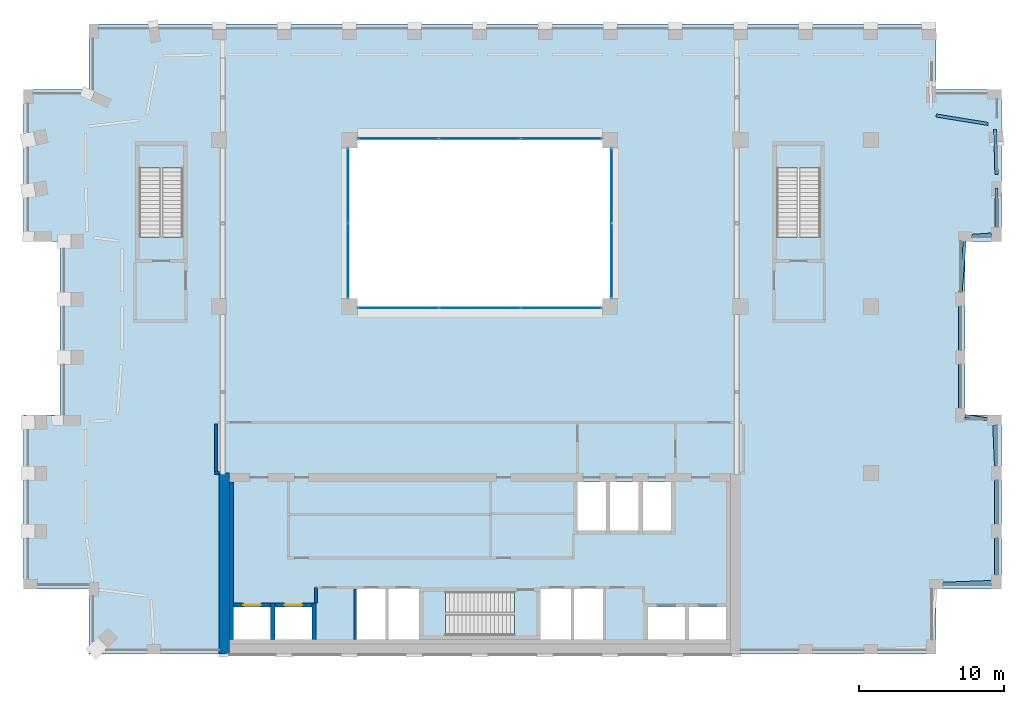
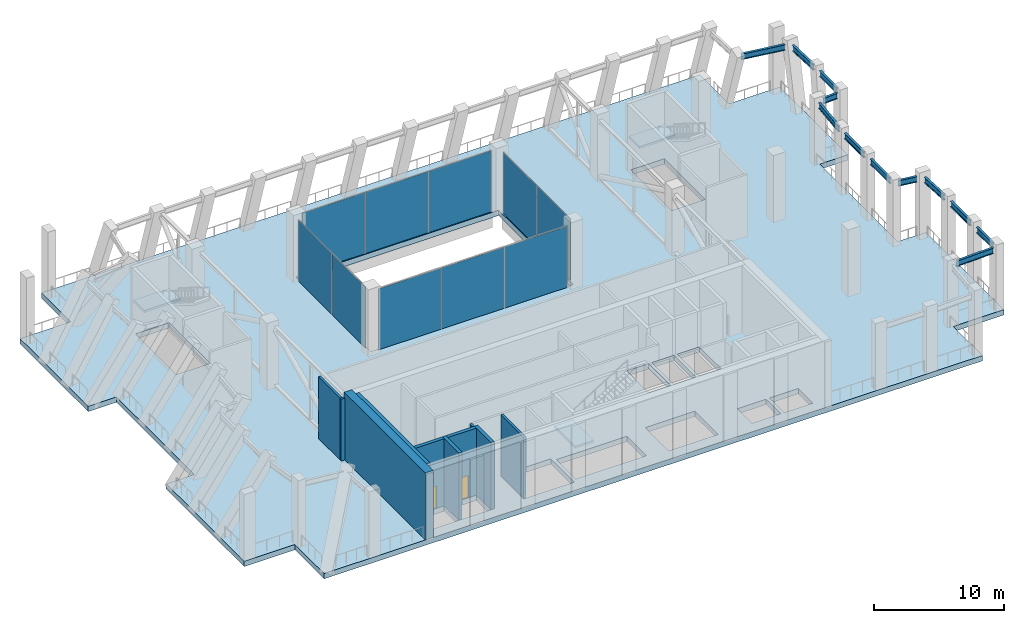
# One storey, part 9 of 14: 12 beams, 10 plates, 10 walls, 4 slabs, 2 doors, 2 openings, 7 elements without a shape of their own.
"""IFC4 building model written with IfcOpenShell, lengths in metres."""

import ifcopenshell
import ifcopenshell.guid

model = None  # the IFC model being written
_history = None  # IfcOwnerHistory: only IFC2X3 demands one
_inside = {}  # id of a spatial element -> (the spatial element, [elements in it])
_under = {}  # id of a project, library or spatial element -> (it, [spatial elements below it])
_declared = {}  # id of a project -> (the project, [libraries it declares])
_typed = {}  # id of a type object -> (the type object, [elements of that type])
_made_of = {}  # id of a material, layer set ... -> (it, [elements and type objects made of it])


def new_model(schema):
    """Start an empty IFC model of exactly this schema.

    Asked for "IFC4X3", IfcOpenShell would pick the latest addendum, in which some entities
    have other attributes; the version numbers below select the first issue.
    IFC2X3 requires an IfcOwnerHistory on every rooted entity: one is made here for all.
    """
    global model, _history
    if schema == "IFC4X3":
        model = ifcopenshell.file(schema_version=(4, 3, 0, 0))
    else:
        model = ifcopenshell.file(schema=schema)
    _inside.clear()
    _under.clear()
    _declared.clear()
    _typed.clear()
    _made_of.clear()
    _history = None
    if model.schema == "IFC2X3":
        org = make("IfcOrganization", Name="unknown")
        user = make(
            "IfcPersonAndOrganization",
            ThePerson=make("IfcPerson", FamilyName="unknown"),
            TheOrganization=org,
        )
        app = make(
            "IfcApplication",
            ApplicationDeveloper=org,
            Version="unknown",
            ApplicationFullName="unknown",
            ApplicationIdentifier="unknown",
        )
        _history = make(
            "IfcOwnerHistory",
            OwningUser=user,
            OwningApplication=app,
            ChangeAction="ADDED",
            CreationDate=0,
        )
    return model


def make(cls, **values):
    """One entity of the class cls with the attributes given. An attribute that is None is left unset."""
    return model.create_entity(
        cls, **{name: value for name, value in values.items() if value is not None}
    )


def rooted(cls, **values):
    """An entity with a GlobalId (a new one), such as an element, a storey or a relation."""
    return make(cls, GlobalId=ifcopenshell.guid.new(), OwnerHistory=_history, **values)


def si_unit(unit_type, name, prefix=None):
    """IfcSIUnit, for example si_unit("LENGTHUNIT", "METRE", prefix="MILLI")."""
    return make("IfcSIUnit", UnitType=unit_type, Prefix=prefix, Name=name)


def assignment(units):
    """IfcUnitAssignment: the units of a project."""
    return None if units is None else make("IfcUnitAssignment", Units=units)


def point(xyz):
    """IfcCartesianPoint."""
    return None if xyz is None else make("IfcCartesianPoint", Coordinates=xyz)


def direction(xyz):
    """IfcDirection."""
    return None if xyz is None else make("IfcDirection", DirectionRatios=xyz)


def frame(location, z_axis=None, x_axis=None):
    """IfcAxis2Placement3D, a coordinate frame: its origin and axes. An axis left out is left unset."""
    return make(
        "IfcAxis2Placement3D",
        Location=point(location),
        Axis=direction(z_axis),
        RefDirection=direction(x_axis),
    )


def frame_2d(location, x_axis=None):
    """IfcAxis2Placement2D, a coordinate frame in the plane: its origin and x axis."""
    return make(
        "IfcAxis2Placement2D", Location=point(location), RefDirection=direction(x_axis)
    )


def origin():
    """The frame at (0, 0, 0) with its axes left unset."""
    return frame((0.0, 0.0, 0.0))


def origin_2d():
    """The frame at (0, 0) in the plane with its x axis left unset."""
    return frame_2d((0.0, 0.0))


def place(relative_to, where):
    """IfcLocalPlacement: puts the frame where relative to a parent placement (None: the world)."""
    return make(
        "IfcLocalPlacement", PlacementRelTo=relative_to, RelativePlacement=where
    )


def context(
    kind, dimensions, precision=None, world=None, true_north=None, identifier=None
):
    """IfcGeometricRepresentationContext, for example the 3D "Model" context."""
    return make(
        "IfcGeometricRepresentationContext",
        ContextIdentifier=identifier,
        ContextType=kind,
        CoordinateSpaceDimension=dimensions,
        Precision=precision,
        WorldCoordinateSystem=world,
        TrueNorth=true_north,
    )


def subcontext(parent, identifier, kind, view, scale=None):
    """IfcGeometricRepresentationSubContext, for example "Body" below "Model"."""
    return make(
        "IfcGeometricRepresentationSubContext",
        ContextIdentifier=identifier,
        ContextType=kind,
        ParentContext=parent,
        TargetScale=scale,
        TargetView=view,
    )


def project(units=None, contexts=None):
    """IfcProject with its units and contexts."""
    return rooted(
        "IfcProject",
        Name="project",
        RepresentationContexts=contexts,
        UnitsInContext=assignment(units),
    )


def spatial(cls, under=None, at=None, **own):
    """A site, building, storey or space (cls), placed at a placement, below another one or the project."""
    s = rooted(cls, ObjectPlacement=at, **own)
    if under is not None:
        _under.setdefault(under.id(), (under, []))[1].append(s)
    return s


def polyline(points):
    """IfcPolyline through the points."""
    return make("IfcPolyline", Points=[point(p) for p in points])


def profile(cls, at=None, kind="AREA", **sizes):
    """A parametric profile (cls). Its sizes go by their IFC names, for example OverallWidth=200.0."""
    return make(cls, ProfileType=kind, Position=at, **sizes)


def rectangle(**sizes):
    """IfcRectangleProfileDef."""
    return profile("IfcRectangleProfileDef", **sizes)


def i_section(**sizes):
    """IfcIShapeProfileDef."""
    return profile("IfcIShapeProfileDef", **sizes)


def outline(outer, holes=None, kind="AREA"):
    """IfcArbitraryClosedProfileDef: a profile drawn as a closed curve; with holes, ...WithVoids."""
    if holes is None:
        return make("IfcArbitraryClosedProfileDef", ProfileType=kind, OuterCurve=outer)
    return make(
        "IfcArbitraryProfileDefWithVoids",
        ProfileType=kind,
        OuterCurve=outer,
        InnerCurves=holes,
    )


def extrude(swept, where, along, depth):
    """IfcExtrudedAreaSolid: the profile swept, set in the frame where, extruded along a direction by depth."""
    return make(
        "IfcExtrudedAreaSolid",
        SweptArea=swept,
        Position=where,
        ExtrudedDirection=direction(along),
        Depth=depth,
    )


def shape(context_of_items, identifier, shape_type, items):
    """IfcShapeRepresentation: the items that make up one representation, for example the "Body"."""
    return make(
        "IfcShapeRepresentation",
        ContextOfItems=context_of_items,
        RepresentationIdentifier=identifier,
        RepresentationType=shape_type,
        Items=items,
    )


def material(Name=None, Category=None):
    """IfcMaterial."""
    return make("IfcMaterial", Name=Name, Category=Category)


def layer(
    of_material, thickness, ventilated=None, Name=None, Category=None, Priority=None
):
    """IfcMaterialLayer: one layer of a wall or slab, of a material (None: an air gap)."""
    return make(
        "IfcMaterialLayer",
        Material=of_material,
        LayerThickness=thickness,
        IsVentilated=ventilated,
        Name=Name,
        Category=Category,
        Priority=Priority,
    )


def layer_set(layers, Name=None):
    """IfcMaterialLayerSet."""
    return make("IfcMaterialLayerSet", MaterialLayers=layers, LayerSetName=Name)


def material_profile(
    of_material, cross_section, Name=None, Category=None, Priority=None
):
    """IfcMaterialProfile: a cross section and its material."""
    return make(
        "IfcMaterialProfile",
        Name=Name,
        Material=of_material,
        Profile=cross_section,
        Priority=Priority,
        Category=Category,
    )


def profile_set(profiles, Name=None, composite=None):
    """IfcMaterialProfileSet."""
    return make(
        "IfcMaterialProfileSet",
        Name=Name,
        MaterialProfiles=profiles,
        CompositeProfile=composite,
    )


def made_of(thing, what):
    """Note that an element or type object is made of a material, layer set ...; save() writes the relation."""
    if what is not None:
        _made_of.setdefault(what.id(), (what, []))[1].append(thing)
    return thing


def type_object(cls, material=None, **own):
    """A type object (cls), such as IfcWallType, which elements share."""
    return made_of(rooted(cls, **own), material)


def element(
    cls,
    number,
    at=None,
    inside=None,
    cuts=None,
    type_object=None,
    material=None,
    context=None,
    identifier="Body",
    shape_type=None,
    held_by="IfcProductDefinitionShape",
    body=None,
    shapes=None,
    **own,
):
    """One element of the class cls, such as IfcWall. Its Tag is "e" and its number.

    at: its placement. inside: the storey or other place that contains it. cuts: it is an
    opening in that element (IfcRelVoidsElement). A single representation is given by context,
    identifier, shape_type and body (its items); several are given by shapes. held_by: the class
    of the entity that holds the representations. save() writes the other relations.
    """
    e = rooted(cls, Tag="e%d" % number, ObjectPlacement=at, **own)
    if body is not None:
        shapes = [shape(context, identifier, shape_type, body)]
    if shapes is not None:
        e.Representation = make(held_by, Representations=shapes)
    if inside is not None:
        _inside.setdefault(inside.id(), (inside, []))[1].append(e)
    if cuts is not None:
        rooted(
            "IfcRelVoidsElement", RelatingBuildingElement=cuts, RelatedOpeningElement=e
        )
    if type_object is not None:
        _typed.setdefault(type_object.id(), (type_object, []))[1].append(e)
    return made_of(e, material)


def fill(opening, filler):
    """IfcRelFillsElement: the door or window that sits in an opening."""
    return rooted(
        "IfcRelFillsElement",
        RelatingOpeningElement=opening,
        RelatedBuildingElement=filler,
    )


def aggregate(whole, parts):
    """IfcRelAggregates: a whole, such as a stair, and the parts it consists of."""
    return rooted("IfcRelAggregates", RelatingObject=whole, RelatedObjects=parts)


def save(model, path):
    """Write the relations noted so far, then the file.

    IfcRelAggregates (storeys below a building ...), IfcRelContainedInSpatialStructure (elements
    in a storey), IfcRelDefinesByType, IfcRelAssociatesMaterial and IfcRelDeclares: one each for
    every whole, place, type object, material and project.
    """
    for whole, parts in _under.values():
        aggregate(whole, parts)
    for where, things in _inside.values():
        rooted(
            "IfcRelContainedInSpatialStructure",
            RelatedElements=things,
            RelatingStructure=where,
        )
    for kind, things in _typed.values():
        rooted("IfcRelDefinesByType", RelatedObjects=things, RelatingType=kind)
    for what, things in _made_of.values():
        rooted("IfcRelAssociatesMaterial", RelatedObjects=things, RelatingMaterial=what)
    for by, libraries in _declared.values():
        rooted("IfcRelDeclares", RelatingContext=by, RelatedDefinitions=libraries)
    model.write(path)


model = new_model("IFC4")

# Units and contexts
model_context = context("Model", 3, precision=1e-05, world=origin(), true_north=direction((0.0, 1.0)))
body_context = subcontext(model_context, "Body", "Model", "MODEL_VIEW")
ifc_project = project(units=[si_unit("LENGTHUNIT", "METRE"), si_unit("AREAUNIT", "SQUARE_METRE"), si_unit("VOLUMEUNIT", "CUBIC_METRE"), si_unit("PLANEANGLEUNIT", "RADIAN"), si_unit("MASSUNIT", "GRAM", prefix="KILO")], contexts=[model_context])

# Site, building, storey
site_placement = place(None, origin())
site = spatial("IfcSite", under=ifc_project, at=site_placement, CompositionType="ELEMENT")
building_placement = place(site_placement, origin())
building = spatial("IfcBuilding", under=site, at=building_placement, Name="Brigalow Station Residences", CompositionType="ELEMENT")
storey_placement = place(building_placement, frame((0.0, 0.0, 185.39990234375)))
storey = spatial("IfcBuildingStorey", under=building, at=storey_placement, Name="L54", CompositionType="ELEMENT", Elevation=185.39990234375)

# Beams
ifc_material_1 = material(Name="Steel Grade 300 to AS/NZS 3679.1", Category="steel")
ifc_material_profile = material_profile(ifc_material_1, i_section(OverallWidth=0.208984375, OverallDepth=0.532958984375, WebThickness=0.01025390625, FlangeThickness=0.015625, FilletRadius=0.013916015625, at=origin_2d()), Name="530UB92.4")
ifc_profile_set = profile_set([ifc_material_profile], Name="Steel Grade 300 to AS/NZS 3679.1")
beam_type = type_object("IfcBeamType", Name="BELT GIRDER 530UB92.4", PredefinedType="USERDEFINED", material=ifc_profile_set)
beam_1_placement = place(storey_placement, frame((67.9951171875, 4.867919921875, 5.53369140625), z_axis=(0.999347456127, 0.036120104264, 0.0), x_axis=(-0.036120104264, 0.999347456127, 0.0)))
element("IfcBeam", 1, at=beam_1_placement, inside=storey, type_object=beam_type, Name="BELT GIRDER 4 L54", ObjectType="BELT GIRDER", PredefinedType="USERDEFINED", context=body_context, shape_type="SweptSolid", body=[
    extrude(i_section(OverallWidth=0.208984375, OverallDepth=0.532958984375, WebThickness=0.01025390625, FlangeThickness=0.015625, FilletRadius=0.013916015625, at=origin_2d()), origin(), (0.0, 0.0, 1.0), 3.31201171875),
])
beam_2_placement = place(storey_placement, frame((71.64990234375, 5.5, 5.53369140625), z_axis=(0.0, 1.0, 0.0), x_axis=(-1.0, 0.0, 0.0)))
element("IfcBeam", 2, at=beam_2_placement, inside=storey, type_object=beam_type, Name="BELT GIRDER 5 L54", ObjectType="BELT GIRDER", PredefinedType="USERDEFINED", context=body_context, shape_type="SweptSolid", body=[
    extrude(i_section(OverallWidth=0.208984375, OverallDepth=0.532958984375, WebThickness=0.01025390625, FlangeThickness=0.015625, FilletRadius=0.013916015625, at=origin_2d()), origin(), (0.0, 0.0, 1.0), 2.5),
])
beam_3_placement = place(storey_placement, frame((71.64990234375, 9.0, 5.53369140625), z_axis=(0.0, 1.0, 0.0), x_axis=(-1.0, 0.0, 0.0)))
element("IfcBeam", 3, at=beam_3_placement, inside=storey, type_object=beam_type, Name="BELT GIRDER 6 L54", ObjectType="BELT GIRDER", PredefinedType="USERDEFINED", context=body_context, shape_type="SweptSolid", body=[
    extrude(i_section(OverallWidth=0.208984375, OverallDepth=0.532958984375, WebThickness=0.01025390625, FlangeThickness=0.015625, FilletRadius=0.013916015625, at=origin_2d()), origin(), (0.0, 0.0, 1.0), 3.0),
])
beam_4_placement = place(storey_placement, frame((71.629638671875, 12.9951171875, 5.53369140625), z_axis=(-0.041063605941, 0.999156534416, 0.0), x_axis=(-0.999156534416, -0.041063605941, 0.0)))
element("IfcBeam", 4, at=beam_4_placement, inside=storey, type_object=beam_type, Name="BELT GIRDER 7 L54", ObjectType="BELT GIRDER", PredefinedType="USERDEFINED", context=body_context, shape_type="SweptSolid", body=[
    extrude(i_section(OverallWidth=0.208984375, OverallDepth=0.532958984375, WebThickness=0.01025390625, FlangeThickness=0.015625, FilletRadius=0.013916015625, at=origin_2d()), origin(), (0.0, 0.0, 1.0), 2.812255859375),
])
beam_5_placement = place(storey_placement, frame((71.015869140625, 16.22216796875, 5.53369140625), z_axis=(-0.989099950322, 0.147245673191, 0.0), x_axis=(-0.147245673191, -0.989099950322, 0.0)))
element("IfcBeam", 5, at=beam_5_placement, inside=storey, type_object=beam_type, Name="BELT GIRDER 8 L54", ObjectType="BELT GIRDER", PredefinedType="USERDEFINED", context=body_context, shape_type="SweptSolid", body=[
    extrude(i_section(OverallWidth=0.208984375, OverallDepth=0.532958984375, WebThickness=0.01025390625, FlangeThickness=0.015625, FilletRadius=0.013916015625, at=origin_2d()), origin(), (0.0, 0.0, 1.0), 1.548583984375),
])
for number, where, z_axis, x_axis, name in (
    (6, (69.14990234375, 17.0, 5.53369140625), (0.0, 1.0, 0.0), (-1.0, 0.0, 0.0), "BELT GIRDER 9 L54"),
    (7, (69.14990234375, 21.0, 5.53369140625), (0.0, 1.0, 0.0), (-1.0, 0.0, 0.0), "BELT GIRDER 10 L54"),
):
    element("IfcBeam", number, at=place(storey_placement, frame(where, z_axis=z_axis, x_axis=x_axis)), inside=storey, type_object=beam_type, Name=name, ObjectType="BELT GIRDER", PredefinedType="USERDEFINED", context=body_context, shape_type="SweptSolid", body=[
        extrude(i_section(OverallWidth=0.208984375, OverallDepth=0.532958984375, WebThickness=0.01025390625, FlangeThickness=0.015625, FilletRadius=0.013916015625, at=origin_2d()), origin(), (0.0, 0.0, 1.0), 3.0),
    ])
beam_6_placement = place(storey_placement, frame((69.189453125, 24.989990234375, 5.53369140625), z_axis=(0.080195851422, 0.996779125692, 0.0), x_axis=(-0.996779125692, 0.080195851422, 0.0)))
element("IfcBeam", 8, at=beam_6_placement, inside=storey, type_object=beam_type, Name="BELT GIRDER 11 L54", ObjectType="BELT GIRDER", PredefinedType="USERDEFINED", context=body_context, shape_type="SweptSolid", body=[
    extrude(i_section(OverallWidth=0.208984375, OverallDepth=0.532958984375, WebThickness=0.01025390625, FlangeThickness=0.015625, FilletRadius=0.013916015625, at=origin_2d()), origin(), (0.0, 0.0, 1.0), 3.531494140625),
])
beam_7_placement = place(storey_placement, frame((69.989990234375, 28.88427734375, 5.53369140625), z_axis=(0.997578078892, 0.069555564221, 0.0), x_axis=(-0.069555564221, 0.997578078892, 0.0)))
element("IfcBeam", 9, at=beam_7_placement, inside=storey, type_object=beam_type, Name="BELT GIRDER 12 L54", ObjectType="BELT GIRDER", PredefinedType="USERDEFINED", context=body_context, shape_type="SweptSolid", body=[
    extrude(i_section(OverallWidth=0.208984375, OverallDepth=0.532958984375, WebThickness=0.01025390625, FlangeThickness=0.015625, FilletRadius=0.013916015625, at=origin_2d()), origin(), (0.0, 0.0, 1.0), 1.3232421875),
])
beam_8_placement = place(storey_placement, frame((71.653076171875, 29.4951171875, 5.53369140625), z_axis=(0.005979237199, 0.999982124201, 0.0), x_axis=(-0.999982124201, 0.005979237199, 0.0)))
element("IfcBeam", 10, at=beam_8_placement, inside=storey, type_object=beam_type, Name="BELT GIRDER 13 L54", ObjectType="BELT GIRDER", PredefinedType="USERDEFINED", context=body_context, shape_type="SweptSolid", body=[
    extrude(i_section(OverallWidth=0.208984375, OverallDepth=0.532958984375, WebThickness=0.01025390625, FlangeThickness=0.015625, FilletRadius=0.013916015625, at=origin_2d()), origin(), (0.0, 0.0, 1.0), 2.69482421875),
])
beam_9_placement = place(storey_placement, frame((71.65869140625, 33.123046875, 5.53369140625), z_axis=(-0.028304601409, 0.999599344507, 0.0), x_axis=(-0.999599344507, -0.028304601409, 0.0)))
element("IfcBeam", 11, at=beam_9_placement, inside=storey, type_object=beam_type, Name="BELT GIRDER 14 L54", ObjectType="BELT GIRDER", PredefinedType="USERDEFINED", context=body_context, shape_type="SweptSolid", body=[
    extrude(i_section(OverallWidth=0.208984375, OverallDepth=0.532958984375, WebThickness=0.01025390625, FlangeThickness=0.015625, FilletRadius=0.013916015625, at=origin_2d()), origin(), (0.0, 0.0, 1.0), 3.11376953125),
])
beam_10_placement = place(storey_placement, frame((71.080078125, 36.610107421875, 5.53369140625), z_axis=(-0.987123017109, 0.159962961629, 0.0), x_axis=(-0.159962961629, -0.987123017109, 0.0)))
element("IfcBeam", 12, at=beam_10_placement, inside=storey, type_object=beam_type, Name="BELT GIRDER 15 L54", ObjectType="BELT GIRDER", PredefinedType="USERDEFINED", context=body_context, shape_type="SweptSolid", body=[
    extrude(i_section(OverallWidth=0.208984375, OverallDepth=0.532958984375, WebThickness=0.01025390625, FlangeThickness=0.015625, FilletRadius=0.013916015625, at=origin_2d()), origin(), (0.0, 0.0, 1.0), 3.624755859375),
])

# Curtain wall, plates
ifc_material_2 = material(Name="Aluminium", Category="aluminium")
ifc_layer_1 = layer(ifc_material_2, 0.14990234375)
ifc_layer_set_1 = layer_set([ifc_layer_1], Name="ATRIUM FIRE-RATED GLAZING CURTAIN WALL")
curtain_wall_type = type_object("IfcCurtainWallType", Name="ATRIUM FIRE-RATED GLAZING CURTAIN WALL", PredefinedType="NOTDEFINED", material=ifc_layer_set_1)
curtain_wall_1_placement = place(storey_placement, origin())
curtain_wall_1 = element("IfcCurtainWall", 13, at=curtain_wall_1_placement, inside=storey, type_object=curtain_wall_type, Name="L54/cw/atrium-S", PredefinedType="NOTDEFINED")
ifc_material_3 = material(Name="Fire-resisting laminated glazing, FRL -/60/-", Category="glass")
ifc_layer_2 = layer(ifc_material_3, 0.031982421875)
ifc_layer_set_2 = layer_set([ifc_layer_2], Name="ATRIUM FIRE-RATED GLAZING PANEL 32")
plate_type = type_object("IfcPlateType", Name="ATRIUM FIRE-RATED GLAZING PANEL 32", PredefinedType="CURTAIN_PANEL", material=ifc_layer_set_2)
plate_1_placement = place(storey_placement, frame((30.381591796875, 23.89990234375, 0.0), z_axis=(0.0, 0.0, 1.0), x_axis=(1.0, 0.0, 0.0)))
plate_1 = element("IfcPlate", 14, at=plate_1_placement, type_object=plate_type, Name="L54/cw/atrium-S/P00-00", PredefinedType="CURTAIN_PANEL", context=body_context, shape_type="SweptSolid", body=[
    extrude(rectangle(XDim=5.543212890625, YDim=0.031982421875, at=origin_2d()), origin(), (0.0, 0.0, 1.0), 5.739990234375),
])
plate_2_placement = place(storey_placement, frame((36.0, 23.89990234375, 0.0), z_axis=(0.0, 0.0, 1.0), x_axis=(1.0, 0.0, 0.0)))
plate_2 = element("IfcPlate", 15, at=plate_2_placement, type_object=plate_type, Name="L54/cw/atrium-S/P01-00", PredefinedType="CURTAIN_PANEL", context=body_context, shape_type="SweptSolid", body=[
    extrude(rectangle(XDim=5.5732421875, YDim=0.031982421875, at=origin_2d()), origin(), (0.0, 0.0, 1.0), 5.739990234375),
])
plate_3_placement = place(storey_placement, frame((41.618408203125, 23.89990234375, 0.0), z_axis=(0.0, 0.0, 1.0), x_axis=(1.0, 0.0, 0.0)))
plate_3 = element("IfcPlate", 16, at=plate_3_placement, type_object=plate_type, Name="L54/cw/atrium-S/P02-00", PredefinedType="CURTAIN_PANEL", context=body_context, shape_type="SweptSolid", body=[
    extrude(rectangle(XDim=5.543212890625, YDim=0.031982421875, at=origin_2d()), origin(), (0.0, 0.0, 1.0), 5.739990234375),
])
aggregate(curtain_wall_1, [plate_1, plate_2, plate_3])

curtain_wall_2_placement = place(storey_placement, origin())
curtain_wall_2 = element("IfcCurtainWall", 17, at=curtain_wall_2_placement, inside=storey, type_object=curtain_wall_type, Name="L54/cw/atrium-E", PredefinedType="NOTDEFINED")
plate_4_placement = place(storey_placement, frame((45.10009765625, 27.1650390625, 0.0), z_axis=(0.0, 0.0, 1.0), x_axis=(0.0, 1.0, 0.0)))
plate_4 = element("IfcPlate", 18, at=plate_4_placement, type_object=plate_type, Name="L54/cw/atrium-E/P00-00", PredefinedType="CURTAIN_PANEL", context=body_context, shape_type="SweptSolid", body=[
    extrude(rectangle(XDim=5.110107421875, YDim=0.031982421875, at=origin_2d()), origin(), (0.0, 0.0, 1.0), 5.739990234375),
])
plate_5_placement = place(storey_placement, frame((45.10009765625, 32.3349609375, 0.0), z_axis=(0.0, 0.0, 1.0), x_axis=(0.0, 1.0, 0.0)))
plate_5 = element("IfcPlate", 19, at=plate_5_placement, type_object=plate_type, Name="L54/cw/atrium-E/P01-00", PredefinedType="CURTAIN_PANEL", context=body_context, shape_type="SweptSolid", body=[
    extrude(rectangle(XDim=5.110107421875, YDim=0.031982421875, at=origin_2d()), origin(), (0.0, 0.0, 1.0), 5.739990234375),
])
aggregate(curtain_wall_2, [plate_4, plate_5])

curtain_wall_3_placement = place(storey_placement, origin())
curtain_wall_3 = element("IfcCurtainWall", 20, at=curtain_wall_3_placement, inside=storey, type_object=curtain_wall_type, Name="L54/cw/atrium-N", PredefinedType="NOTDEFINED")
plate_6_placement = place(storey_placement, frame((41.618408203125, 35.60009765625, 0.0), z_axis=(0.0, 0.0, 1.0), x_axis=(-1.0, 0.0, 0.0)))
plate_6 = element("IfcPlate", 21, at=plate_6_placement, type_object=plate_type, Name="L54/cw/atrium-N/P00-00", PredefinedType="CURTAIN_PANEL", context=body_context, shape_type="SweptSolid", body=[
    extrude(rectangle(XDim=5.543212890625, YDim=0.031982421875, at=origin_2d()), origin(), (0.0, 0.0, 1.0), 5.739990234375),
])
plate_7_placement = place(storey_placement, frame((36.0, 35.60009765625, 0.0), z_axis=(0.0, 0.0, 1.0), x_axis=(-1.0, 0.0, 0.0)))
plate_7 = element("IfcPlate", 22, at=plate_7_placement, type_object=plate_type, Name="L54/cw/atrium-N/P01-00", PredefinedType="CURTAIN_PANEL", context=body_context, shape_type="SweptSolid", body=[
    extrude(rectangle(XDim=5.5732421875, YDim=0.031982421875, at=origin_2d()), origin(), (0.0, 0.0, 1.0), 5.739990234375),
])
plate_8_placement = place(storey_placement, frame((30.381591796875, 35.60009765625, 0.0), z_axis=(0.0, 0.0, 1.0), x_axis=(-1.0, 0.0, 0.0)))
plate_8 = element("IfcPlate", 23, at=plate_8_placement, type_object=plate_type, Name="L54/cw/atrium-N/P02-00", PredefinedType="CURTAIN_PANEL", context=body_context, shape_type="SweptSolid", body=[
    extrude(rectangle(XDim=5.543212890625, YDim=0.031982421875, at=origin_2d()), origin(), (0.0, 0.0, 1.0), 5.739990234375),
])
aggregate(curtain_wall_3, [plate_6, plate_7, plate_8])

curtain_wall_4_placement = place(storey_placement, origin())
curtain_wall_4 = element("IfcCurtainWall", 24, at=curtain_wall_4_placement, inside=storey, type_object=curtain_wall_type, Name="L54/cw/atrium-W", PredefinedType="NOTDEFINED")
plate_9_placement = place(storey_placement, frame((26.89990234375, 32.3349609375, 0.0), z_axis=(0.0, 0.0, 1.0), x_axis=(0.0, -1.0, 0.0)))
plate_9 = element("IfcPlate", 25, at=plate_9_placement, type_object=plate_type, Name="L54/cw/atrium-W/P00-00", PredefinedType="CURTAIN_PANEL", context=body_context, shape_type="SweptSolid", body=[
    extrude(rectangle(XDim=5.110107421875, YDim=0.031982421875, at=origin_2d()), origin(), (0.0, 0.0, 1.0), 5.739990234375),
])
plate_10_placement = place(storey_placement, frame((26.89990234375, 27.1650390625, 0.0), z_axis=(0.0, 0.0, 1.0), x_axis=(0.0, -1.0, 0.0)))
plate_10 = element("IfcPlate", 26, at=plate_10_placement, type_object=plate_type, Name="L54/cw/atrium-W/P01-00", PredefinedType="CURTAIN_PANEL", context=body_context, shape_type="SweptSolid", body=[
    extrude(rectangle(XDim=5.110107421875, YDim=0.031982421875, at=origin_2d()), origin(), (0.0, 0.0, 1.0), 5.739990234375),
])
aggregate(curtain_wall_4, [plate_9, plate_10])

# Slab
ifc_material_4 = material(Name="Concrete C50", Category="concrete")
ifc_layer_3 = layer(ifc_material_4, 0.5)
ifc_layer_set_3 = layer_set([ifc_layer_3], Name="REINFORCED WIND FLOOR SLAB 500 C50")
slab_type_1 = type_object("IfcSlabType", Name="REINFORCED WIND FLOOR SLAB 500 C50", PredefinedType="FLOOR", material=ifc_layer_set_3)
slab_1_placement = place(storey_placement, frame((0.0, 0.0, -0.5)))
element("IfcSlab", 27, at=slab_1_placement, inside=storey, type_object=slab_type_1, Name="FLOOR SLAB L54", PredefinedType="FLOOR", context=body_context, shape_type="SweptSolid", body=[
    extrude(outline(polyline([(9.0, 0.0), (67.5, 0.0), (67.5, 4.5), (72.0, 4.5), (72.0, 16.5), (69.5, 16.5), (69.5, 28.5), (72.0, 28.5), (72.0, 39.0), (67.5, 39.0), (67.5, 43.5), (9.0, 43.5), (9.0, 39.0), (4.5, 39.0), (4.5, 28.5), (7.0, 28.5), (7.0, 16.5), (4.5, 16.5), (4.5, 4.5), (9.0, 4.5), (9.0, 0.0)]), holes=[polyline([(12.5048828125, 35.094970703125), (15.4951171875, 35.094970703125), (15.4951171875, 28.804931640625), (12.5048828125, 28.804931640625), (12.5048828125, 35.094970703125)]), polyline([(19.0, 1.0), (19.0, 3.25), (21.550048828125, 3.25), (21.550048828125, 1.0), (19.0, 1.0)]), polyline([(21.85009765625, 3.25), (24.39990234375, 3.25), (24.39990234375, 1.0), (21.85009765625, 1.0), (21.85009765625, 3.25)]), polyline([(27.0, 35.5), (45.0, 35.5), (45.0, 24.0), (27.0, 24.0), (27.0, 35.5)]), polyline([(29.60009765625, 4.60009765625), (31.800048828125, 4.60009765625), (31.800048828125, 1.0), (29.60009765625, 1.0), (27.39990234375, 1.0), (27.39990234375, 4.60009765625), (29.60009765625, 4.60009765625)]), polyline([(32.10498046875, 4.294921875), (38.39501953125, 4.294921875), (38.39501953125, 1.304931640625), (32.10498046875, 1.304931640625), (32.10498046875, 4.294921875)]), polyline([(40.199951171875, 4.60009765625), (42.39990234375, 4.60009765625), (44.60009765625, 4.60009765625), (44.60009765625, 1.0), (42.39990234375, 1.0), (40.199951171875, 1.0), (40.199951171875, 4.60009765625)]), polyline([(42.75, 11.89990234375), (44.699951171875, 11.89990234375), (44.699951171875, 8.550048828125), (42.75, 8.550048828125), (42.75, 11.89990234375)]), polyline([(45.0, 11.89990234375), (46.949951171875, 11.89990234375), (46.949951171875, 8.550048828125), (45.0, 8.550048828125), (45.0, 11.89990234375)]), polyline([(47.25, 11.89990234375), (49.199951171875, 11.89990234375), (49.199951171875, 8.550048828125), (47.25, 8.550048828125), (47.25, 11.89990234375)]), polyline([(47.60009765625, 3.25), (50.14990234375, 3.25), (50.14990234375, 1.0), (47.60009765625, 1.0), (47.60009765625, 3.25)]), polyline([(50.449951171875, 3.25), (53.0, 3.25), (53.0, 1.0), (50.449951171875, 1.0), (50.449951171875, 3.25)]), polyline([(56.5048828125, 35.094970703125), (59.4951171875, 35.094970703125), (59.4951171875, 28.804931640625), (56.5048828125, 28.804931640625), (56.5048828125, 35.094970703125)])]), origin(), (0.0, 0.0, 1.0), 0.5),
])

# Stair, slab
ifc_material_5 = material(Name="Concrete C50", Category="concrete")
stair_type = type_object("IfcStairType", Name="EXIT STAIR 1400 2 FLIGHT", PredefinedType="HALF_TURN_STAIR", material=ifc_material_5)
stair_1_placement = place(storey_placement, origin())
stair_1 = element("IfcStair", 28, at=stair_1_placement, inside=storey, type_object=stair_type, Name="EXIT STAIR S2 L54", PredefinedType="HALF_TURN_STAIR")
ifc_material_6 = material(Name="Concrete C50", Category="concrete")
ifc_layer_4 = layer(ifc_material_6, 0.199951171875)
ifc_layer_set_4 = layer_set([ifc_layer_4], Name="STAIR LANDING 200")
slab_type_2 = type_object("IfcSlabType", Name="STAIR LANDING 200", PredefinedType="LANDING", material=ifc_layer_set_4)
slab_2_placement = place(storey_placement, frame((0.0, 0.0, 2.9501953125)))
slab_2 = element("IfcSlab", 29, at=slab_2_placement, type_object=slab_type_2, Name="ST-2 landing 1", PredefinedType="LANDING", context=body_context, shape_type="SweptSolid", body=[
    extrude(outline(polyline([(32.0, 1.199951171875), (33.639892578125, 1.199951171875), (33.639892578125, 4.39990234375), (32.0, 4.39990234375), (32.0, 1.199951171875)])), origin(), (0.0, 0.0, 1.0), 0.199951171875),
])
aggregate(stair_1, [slab_2])

stair_2_placement = place(storey_placement, origin())
stair_2 = element("IfcStair", 30, at=stair_2_placement, inside=storey, type_object=stair_type, Name="EXIT STAIR S1 L54", PredefinedType="HALF_TURN_STAIR")
slab_3_placement = place(storey_placement, frame((0.0, 0.0, 2.9501953125)))
slab_3 = element("IfcSlab", 31, at=slab_3_placement, type_object=slab_type_2, Name="ST-1 landing 1", PredefinedType="LANDING", context=body_context, shape_type="SweptSolid", body=[
    extrude(outline(polyline([(12.39990234375, 33.56005859375), (15.60009765625, 33.56005859375), (15.60009765625, 35.199951171875), (12.39990234375, 35.199951171875), (12.39990234375, 33.56005859375)])), origin(), (0.0, 0.0, 1.0), 0.199951171875),
])
aggregate(stair_2, [slab_3])

stair_3_placement = place(storey_placement, origin())
stair_3 = element("IfcStair", 32, at=stair_3_placement, inside=storey, type_object=stair_type, Name="EXIT STAIR S3 L54", PredefinedType="HALF_TURN_STAIR")
slab_4_placement = place(storey_placement, frame((0.0, 0.0, 2.9501953125)))
slab_4 = element("IfcSlab", 33, at=slab_4_placement, type_object=slab_type_2, Name="ST-3 landing 1", PredefinedType="LANDING", context=body_context, shape_type="SweptSolid", body=[
    extrude(outline(polyline([(56.39990234375, 33.56005859375), (59.60009765625, 33.56005859375), (59.60009765625, 35.199951171875), (56.39990234375, 35.199951171875), (56.39990234375, 33.56005859375)])), origin(), (0.0, 0.0, 1.0), 0.199951171875),
])
aggregate(stair_3, [slab_4])

# Wall
ifc_material_7 = material(Name="Concrete C65", Category="concrete")
ifc_layer_5 = layer(ifc_material_7, 0.300048828125)
ifc_layer_set_5 = layer_set([ifc_layer_5], Name="CORE SHEAR WALL 300 C65")
wall_type_1 = type_object("IfcWallType", Name="CORE SHEAR WALL 300 C65", PredefinedType="SHEAR", material=ifc_layer_set_5)
wall_1_placement = place(storey_placement, frame((18.85009765625, 1.0, 0.0), z_axis=(0.0, 0.0, 1.0), x_axis=(0.0, 1.0, 0.0)))
element("IfcWall", 34, at=wall_1_placement, inside=storey, type_object=wall_type_1, Name="CORE WALL LIN-W L54", PredefinedType="SHEAR", context=body_context, shape_type="SweptSolid", body=[
    extrude(rectangle(XDim=10.89990234375, YDim=0.300048828125, at=frame_2d((5.449951171875, 0.0))), origin(), (0.0, 0.0, 1.0), 6.300048828125),
])

# Wall, opening, door
wall_2_placement = place(storey_placement, frame((19.0, 3.39990234375, 0.0), z_axis=(0.0, 0.0, 1.0), x_axis=(1.0, 0.0, 0.0)))
wall_2 = element("IfcWall", 35, at=wall_2_placement, inside=storey, type_object=wall_type_1, Name="CORE WALL SH-C1-N L54", PredefinedType="SHEAR", context=body_context, shape_type="SweptSolid", body=[
    extrude(rectangle(XDim=2.550048828125, YDim=0.300048828125, at=frame_2d((1.27490234375, 0.0))), origin(), (0.0, 0.0, 1.0), 6.300048828125),
])
opening_1_placement = place(wall_2_placement, frame((0.675048828125, 0.0, 0.0)))
opening_1 = element("IfcOpeningElement", 36, at=opening_1_placement, cuts=wall_2, Name="Opening LD-LB1", PredefinedType="OPENING", context=body_context, shape_type="SweptSolid", body=[
    extrude(rectangle(XDim=1.199951171875, YDim=2.10009765625, at=frame_2d((0.60009765625, 1.050048828125))), frame((0.0, 0.16015625, 0.0), z_axis=(0.0, -1.0, 0.0), x_axis=(1.0, 0.0, 0.0)), (0.0, 0.0, 1.0), 0.320068359375),
])
ifc_material_8 = material(Name="Stainless steel sliding door leaves", Category="steel")
door_type = type_object("IfcDoorType", Name="LIFT LANDING DOOR 1200 x 2100", OperationType="DOUBLE_DOOR_SLIDING", PredefinedType="DOOR", material=ifc_material_8)
door_1_placement = place(opening_1_placement, origin())
door_1 = element("IfcDoor", 37, at=door_1_placement, inside=storey, type_object=door_type, Name="LANDING DOOR LB1", OperationType="DOUBLE_DOOR_SLIDING", OverallHeight=2.10009765625, OverallWidth=1.199951171875, PredefinedType="DOOR", context=body_context, shape_type="SweptSolid", body=[
    extrude(rectangle(XDim=1.199951171875, YDim=2.10009765625, at=frame_2d((0.60009765625, 1.050048828125))), frame((0.0, 0.02490234375, 0.0), z_axis=(0.0, -1.0, 0.0), x_axis=(1.0, 0.0, 0.0)), (0.0, 0.0, 1.0), 0.050048828125),
])
fill(opening_1, door_1)

wall_3_placement = place(storey_placement, frame((21.85009765625, 3.39990234375, 0.0), z_axis=(0.0, 0.0, 1.0), x_axis=(1.0, 0.0, 0.0)))
wall_3 = element("IfcWall", 38, at=wall_3_placement, inside=storey, type_object=wall_type_1, Name="CORE WALL SH-C2-N L54", PredefinedType="SHEAR", context=body_context, shape_type="SweptSolid", body=[
    extrude(rectangle(XDim=2.5498046875, YDim=0.300048828125, at=frame_2d((1.27490234375, 0.0))), origin(), (0.0, 0.0, 1.0), 6.300048828125),
])
opening_2_placement = place(wall_3_placement, frame((0.675048828125, 0.0, 0.0)))
opening_2 = element("IfcOpeningElement", 39, at=opening_2_placement, cuts=wall_3, Name="Opening LD-LB2", PredefinedType="OPENING", context=body_context, shape_type="SweptSolid", body=[
    extrude(rectangle(XDim=1.199951171875, YDim=2.10009765625, at=frame_2d((0.60009765625, 1.050048828125))), frame((0.0, 0.16015625, 0.0), z_axis=(0.0, -1.0, 0.0), x_axis=(1.0, 0.0, 0.0)), (0.0, 0.0, 1.0), 0.320068359375),
])
door_2_placement = place(opening_2_placement, origin())
door_2 = element("IfcDoor", 40, at=door_2_placement, inside=storey, type_object=door_type, Name="LANDING DOOR LB2", OperationType="DOUBLE_DOOR_SLIDING", OverallHeight=2.10009765625, OverallWidth=1.199951171875, PredefinedType="DOOR", context=body_context, shape_type="SweptSolid", body=[
    extrude(rectangle(XDim=1.199951171875, YDim=2.10009765625, at=frame_2d((0.60009765625, 1.050048828125))), frame((0.0, 0.02490234375, 0.0), z_axis=(0.0, -1.0, 0.0), x_axis=(1.0, 0.0, 0.0)), (0.0, 0.0, 1.0), 0.050048828125),
])
fill(opening_2, door_2)

# Walls
for number, where, z_axis, x_axis, name in (
    (41, (21.699951171875, 1.0, 0.0), (0.0, 0.0, 1.0), (0.0, 1.0, 0.0), "CORE WALL SH-C2-W L54"),
    (42, (24.550048828125, 1.0, 0.0), (0.0, 0.0, 1.0), (0.0, 1.0, 0.0), "CORE WALL SH-C2-E L54"),
):
    element("IfcWall", number, at=place(storey_placement, frame(where, z_axis=z_axis, x_axis=x_axis)), inside=storey, type_object=wall_type_1, Name=name, PredefinedType="SHEAR", context=body_context, shape_type="SweptSolid", body=[
        extrude(rectangle(XDim=2.550048828125, YDim=0.300048828125, at=frame_2d((1.27490234375, 0.0))), origin(), (0.0, 0.0, 1.0), 6.300048828125),
    ])
ifc_material_9 = material(Name="Concrete C65", Category="concrete")
ifc_layer_6 = layer(ifc_material_9, 0.699951171875)
ifc_layer_set_6 = layer_set([ifc_layer_6], Name="CORE SHEAR WALL 700 C65")
wall_type_2 = type_object("IfcWallType", Name="CORE SHEAR WALL 700 C65", PredefinedType="SHEAR", material=ifc_layer_set_6)
wall_4_placement = place(storey_placement, frame((18.35009765625, 0.0, 0.0), z_axis=(0.0, 0.0, 1.0), x_axis=(0.0, 1.0, 0.0)))
element("IfcWall", 43, at=wall_4_placement, inside=storey, type_object=wall_type_2, Name="CORE WALL OUT-W L54", PredefinedType="SHEAR", context=body_context, shape_type="SweptSolid", body=[
    extrude(rectangle(XDim=12.5, YDim=0.699951171875, at=frame_2d((6.25, 0.0))), origin(), (0.0, 0.0, 1.0), 6.300048828125),
])
ifc_material_10 = material(Name="Concrete blockwork", Category="masonry")
ifc_layer_7 = layer(ifc_material_10, 0.199951171875)
ifc_layer_set_7 = layer_set([ifc_layer_7], Name="FIRE RATED CORE PARTITION 200")
wall_type_3 = type_object("IfcWallType", Name="FIRE RATED CORE PARTITION 200", PredefinedType="PARTITIONING", material=ifc_layer_set_7)
wall_5_placement = place(storey_placement, frame((17.679931640625, 12.5, 0.0), z_axis=(0.0, 0.0, 1.0), x_axis=(1.0, 0.0, 0.0)))
element("IfcWall", 44, at=wall_5_placement, inside=storey, type_object=wall_type_3, Name="PW-5248", PredefinedType="PARTITIONING", context=body_context, shape_type="SweptSolid", body=[
    extrude(rectangle(XDim=0.320068359375, YDim=0.199951171875, at=frame_2d((0.16015625, 0.0))), origin(), (0.0, 0.0, 1.0), 5.800048828125),
])
wall_6_placement = place(storey_placement, frame((27.39990234375, 1.0, 0.0), z_axis=(0.0, 0.0, 1.0), x_axis=(0.0, 1.0, 0.0)))
element("IfcWall", 45, at=wall_6_placement, inside=storey, type_object=wall_type_3, Name="PW-5005", PredefinedType="PARTITIONING", context=body_context, shape_type="SweptSolid", body=[
    extrude(rectangle(XDim=3.5, YDim=0.199951171875, at=frame_2d((1.75, 0.0))), origin(), (0.0, 0.0, 1.0), 5.800048828125),
])
wall_7_placement = place(storey_placement, frame((24.699951171875, 3.550048828125, 0.0), z_axis=(0.0, 0.0, 1.0), x_axis=(0.0, 1.0, 0.0)))
element("IfcWall", 46, at=wall_7_placement, inside=storey, type_object=wall_type_3, Name="PW-5250", PredefinedType="PARTITIONING", context=body_context, shape_type="SweptSolid", body=[
    extrude(rectangle(XDim=1.050048828125, YDim=0.199951171875, at=frame_2d((0.52490234375, 0.0))), origin(), (0.0, 0.0, 1.0), 5.800048828125),
])
wall_8_placement = place(storey_placement, frame((17.780029296875, 12.60009765625, 0.0), z_axis=(0.0, 0.0, 1.0), x_axis=(0.0, 1.0, 0.0)))
element("IfcWall", 47, at=wall_8_placement, inside=storey, type_object=wall_type_3, Name="PW-5257", PredefinedType="PARTITIONING", context=body_context, shape_type="SweptSolid", body=[
    extrude(rectangle(XDim=3.2998046875, YDim=0.199951171875, at=frame_2d((1.64990234375, 0.0))), origin(), (0.0, 0.0, 1.0), 5.800048828125),
])

save(model, "model.ifc")
